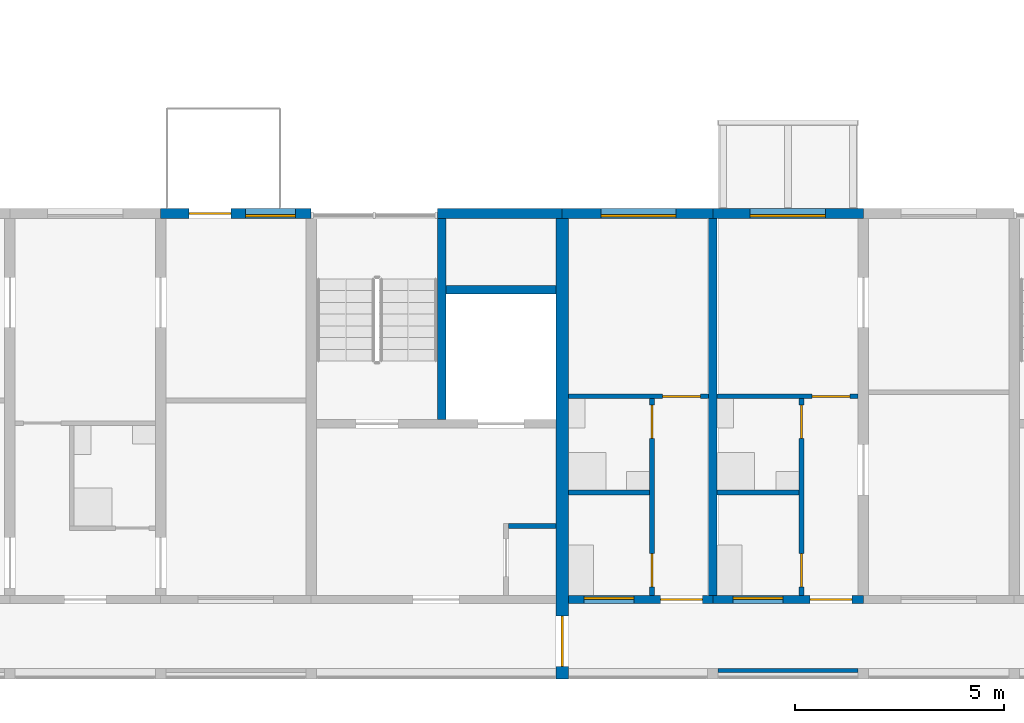
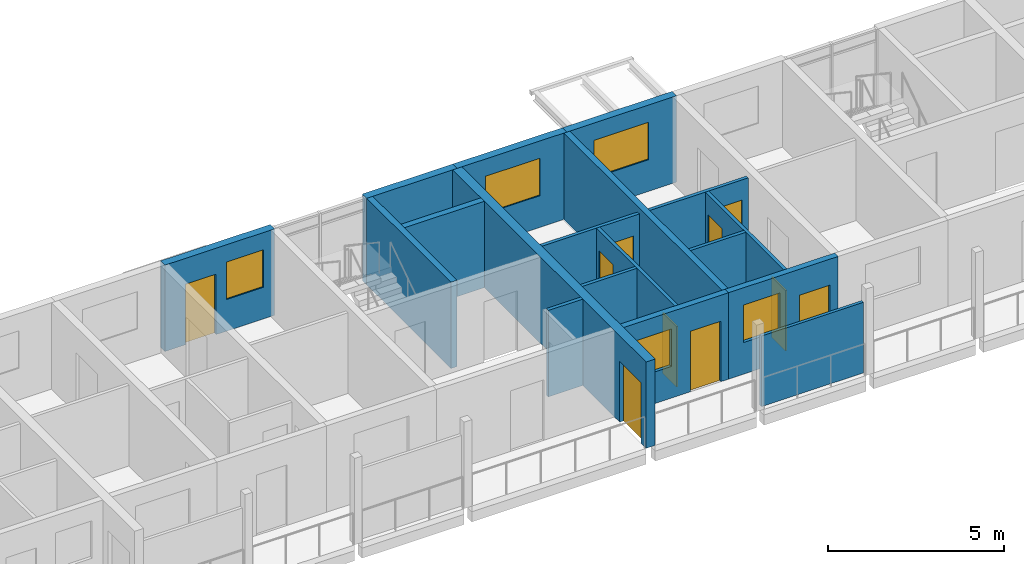
# One storey, part 49 of 98: 18 walls, 10 doors, 5 windows, 15 openings.
"""IFC4 building model written with IfcOpenShell, lengths in metres."""

from ifc_helpers import new_model, si_unit, direction, frame, frame_2d, origin, place, context, subcontext, project, spatial, rectangle, extrude, material, layer, layer_set, type_object, element, fill, save


model = new_model("IFC4")

# Units and contexts
model_context = context("Model", 3, precision=1e-05, world=origin(), true_north=direction((0.0, 1.0)))
body_context = subcontext(model_context, "Body", "Model", "MODEL_VIEW")
ifc_project = project(units=[si_unit("LENGTHUNIT", "METRE"), si_unit("AREAUNIT", "SQUARE_METRE"), si_unit("VOLUMEUNIT", "CUBIC_METRE"), si_unit("PLANEANGLEUNIT", "RADIAN"), si_unit("MASSUNIT", "GRAM", prefix="KILO")], contexts=[model_context])

# Site, building, storey
site_placement = place(None, origin())
site = spatial("IfcSite", under=ifc_project, at=site_placement, CompositionType="ELEMENT")
building_placement = place(site_placement, origin())
building = spatial("IfcBuilding", under=site, at=building_placement, Name="Ridgestep Commons", CompositionType="ELEMENT")
storey_placement = place(building_placement, frame((0.0, 0.0, 12.0)))
storey = spatial("IfcBuildingStorey", under=building, at=storey_placement, Name="L04", CompositionType="ELEMENT", Elevation=12.0)

# Walls
ifc_material_1 = material(Name="Concrete C30/37", Category="concrete")
ifc_layer_1 = layer(ifc_material_1, 0.1201171875)
ifc_layer_set_1 = layer_set([ifc_layer_1], Name="Core wall 120")
wall_type_1 = type_object("IfcWallType", Name="Core wall 120", PredefinedType="SHEAR", material=ifc_layer_set_1)
wall_1_placement = place(storey_placement, frame((195.919921875, 15.409912109375, 0.0), z_axis=(0.0, 0.0, 1.0), x_axis=(1.0, 0.0, 0.0)))
element("IfcWall", 1, at=wall_1_placement, inside=storey, type_object=wall_type_1, Name="Core riser n wall D3C L04", PredefinedType="SHEAR", context=body_context, shape_type="SweptSolid", body=[
    extrude(rectangle(XDim=1.130126953125, YDim=0.1201171875, at=frame_2d((0.56494140625, 0.0))), origin(), (0.0, 0.0, 1.0), 3.0),
])
ifc_material_2 = material(Name="Concrete C30/37", Category="concrete")
ifc_layer_2 = layer(ifc_material_2, 0.199951171875)
ifc_layer_set_2 = layer_set([ifc_layer_2], Name="Core wall 200")
wall_type_2 = type_object("IfcWallType", Name="Core wall 200", PredefinedType="SHEAR", material=ifc_layer_set_2)
wall_2_placement = place(storey_placement, frame((194.324951171875, 17.949951171875, 0.0), z_axis=(0.0, 0.0, 1.0), x_axis=(0.0, 1.0, 0.0)))
element("IfcWall", 2, at=wall_2_placement, inside=storey, type_object=wall_type_2, Name="Core stair wall D3C L04", PredefinedType="SHEAR", context=body_context, shape_type="SweptSolid", body=[
    extrude(rectangle(XDim=4.800048828125, YDim=0.199951171875, at=frame_2d((2.39990234375, 0.0))), origin(), (0.0, 0.0, 1.0), 3.0),
])
wall_3_placement = place(storey_placement, frame((194.425048828125, 21.050048828125, 0.0), z_axis=(0.0, 0.0, 1.0), x_axis=(1.0, 0.0, 0.0)))
element("IfcWall", 3, at=wall_3_placement, inside=storey, type_object=wall_type_2, Name="Core duct wall D3C L04", PredefinedType="SHEAR", context=body_context, shape_type="SweptSolid", body=[
    extrude(rectangle(XDim=2.625, YDim=0.199951171875, at=frame_2d((1.3125, 0.0))), origin(), (0.0, 0.0, 1.0), 3.0),
])
ifc_material_3 = material(Name="Precast concrete C40/50", Category="concrete")
ifc_layer_3 = layer(ifc_material_3, 0.199951171875)
ifc_layer_set_3 = layer_set([ifc_layer_3], Name="Cross wall 200")
wall_type_3 = type_object("IfcWallType", Name="Cross wall 200", PredefinedType="SHEAR", material=ifc_layer_set_3)
wall_4_placement = place(storey_placement, frame((200.800048828125, 13.75, 0.0), z_axis=(0.0, 0.0, 1.0), x_axis=(0.0, 1.0, 0.0)))
element("IfcWall", 4, at=wall_4_placement, inside=storey, type_object=wall_type_3, Name="Cross wall D-04-2008", PredefinedType="SHEAR", context=body_context, shape_type="SweptSolid", body=[
    extrude(rectangle(XDim=9.0, YDim=0.199951171875, at=frame_2d((4.5, 0.0))), origin(), (0.0, 0.0, 1.0), 3.0),
])

# Wall, opening, door
ifc_material_4 = material(Name="Precast concrete C40/50", Category="concrete")
ifc_layer_4 = layer(ifc_material_4, 0.300048828125)
ifc_layer_set_4 = layer_set([ifc_layer_4], Name="Division wall 300")
wall_type_4 = type_object("IfcWallType", Name="Division wall 300", PredefinedType="SHEAR", material=ifc_layer_set_4)
wall_5_placement = place(storey_placement, frame((197.199951171875, 11.75, 0.0), z_axis=(0.0, 0.0, 1.0), x_axis=(0.0, 1.0, 0.0)))
wall_5 = element("IfcWall", 5, at=wall_5_placement, inside=storey, type_object=wall_type_4, Name="Cross wall D-04-1972", PredefinedType="SHEAR", context=body_context, shape_type="SweptSolid", body=[
    extrude(rectangle(XDim=11.0, YDim=0.300048828125, at=frame_2d((5.5, 0.0))), origin(), (0.0, 0.0, 1.0), 3.0),
])
opening_1_placement = place(wall_5_placement, frame((0.300048828125, 0.0, 0.0)))
opening_1 = element("IfcOpeningElement", 6, at=opening_1_placement, cuts=wall_5, Name="Opening D/04/G1972", PredefinedType="OPENING", context=body_context, shape_type="SweptSolid", body=[
    extrude(rectangle(XDim=1.199951171875, YDim=2.10009765625, at=frame_2d((0.60009765625, 1.050048828125))), frame((0.0, 0.159912109375, 0.0), z_axis=(0.0, -1.0, 0.0), x_axis=(1.0, 0.0, 0.0)), (0.0, 0.0, 1.0), 0.320068359375),
])
ifc_material_5 = material(Name="Steel fire door", Category="steel")
door_type_1 = type_object("IfcDoorType", Name="Division fire door 1200 x 2100 EI 240", OperationType="DOUBLE_DOOR_SINGLE_SWING", PredefinedType="DOOR", material=ifc_material_5)
door_1_placement = place(opening_1_placement, origin())
door_1 = element("IfcDoor", 7, at=door_1_placement, inside=storey, type_object=door_type_1, Name="Division fire door D/04/G1972", OperationType="DOUBLE_DOOR_SINGLE_SWING", OverallHeight=2.10009765625, OverallWidth=1.199951171875, PredefinedType="DOOR", context=body_context, shape_type="SweptSolid", body=[
    extrude(rectangle(XDim=1.199951171875, YDim=2.10009765625, at=frame_2d((0.60009765625, 1.050048828125))), frame((0.0, 0.02490234375, 0.0), z_axis=(0.0, -1.0, 0.0), x_axis=(1.0, 0.0, 0.0)), (0.0, 0.0, 1.0), 0.050048828125),
])
fill(opening_1, door_1)

# Wall, openings, door, window
ifc_material_6 = material(Name="Precast concrete C40/50", Category="concrete")
ifc_layer_5 = layer(ifc_material_6, 0.25)
ifc_layer_set_5 = layer_set([ifc_layer_5], Name="North facade panel 250")
wall_type_5 = type_object("IfcWallType", Name="North facade panel 250", PredefinedType="SOLIDWALL", material=ifc_layer_set_5)
wall_6_placement = place(storey_placement, frame((187.60009765625, 22.875, 0.0), z_axis=(0.0, 0.0, 1.0), x_axis=(1.0, 0.0, 0.0)))
wall_6 = element("IfcWall", 8, at=wall_6_placement, inside=storey, type_object=wall_type_5, Name="North panel D3T3 L04", PredefinedType="SOLIDWALL", context=body_context, shape_type="SweptSolid", body=[
    extrude(rectangle(XDim=3.599853515625, YDim=0.25, at=frame_2d((1.7998046875, 0.0))), origin(), (0.0, 0.0, 1.0), 3.0),
])
opening_2_placement = place(wall_6_placement, frame((2.028076171875, 0.0, 1.10009765625)))
opening_2 = element("IfcOpeningElement", 9, at=opening_2_placement, cuts=wall_6, Name="Opening W08", PredefinedType="OPENING", context=body_context, shape_type="SweptSolid", body=[
    extrude(rectangle(XDim=1.199951171875, YDim=1.300048828125, at=frame_2d((0.60009765625, 0.64990234375))), frame((0.0, 0.135009765625, 0.0), z_axis=(0.0, -1.0, 0.0), x_axis=(1.0, 0.0, 0.0)), (0.0, 0.0, 1.0), 0.27001953125),
])
opening_3_placement = place(wall_6_placement, frame((0.680908203125, 0.0, 0.0)))
opening_3 = element("IfcOpeningElement", 10, at=opening_3_placement, cuts=wall_6, Name="Opening D3-04a/8", PredefinedType="OPENING", context=body_context, shape_type="SweptSolid", body=[
    extrude(rectangle(XDim=1.0, YDim=2.10009765625, at=frame_2d((0.5, 1.050048828125))), frame((0.0, 0.135009765625, 0.0), z_axis=(0.0, -1.0, 0.0), x_axis=(1.0, 0.0, 0.0)), (0.0, 0.0, 1.0), 0.27001953125),
])
ifc_material_7 = material(Name="Aluminium and glass", Category="aluminium")
door_type_2 = type_object("IfcDoorType", Name="Balcony door 1000 x 2100", OperationType="NOTDEFINED", PredefinedType="DOOR", material=ifc_material_7)
door_2_placement = place(opening_3_placement, origin())
door_2 = element("IfcDoor", 11, at=door_2_placement, inside=storey, type_object=door_type_2, Name="Balcony door D3-04a/8", OperationType="SINGLE_SWING_RIGHT", OverallHeight=2.10009765625, OverallWidth=1.0, PredefinedType="DOOR", context=body_context, shape_type="SweptSolid", body=[
    extrude(rectangle(XDim=1.0, YDim=2.10009765625, at=frame_2d((0.5, 1.050048828125))), frame((0.0, 0.02490234375, 0.0), z_axis=(0.0, -1.0, 0.0), x_axis=(1.0, 0.0, 0.0)), (0.0, 0.0, 1.0), 0.050048828125),
])
fill(opening_3, door_2)
ifc_material_8 = material(Name="Aluminium 6063-T6 and glass", Category="aluminium")
window_type_1 = type_object("IfcWindowType", Name="Flat window 1200 x 1300", PartitioningType="SINGLE_PANEL", PredefinedType="WINDOW", material=ifc_material_8)
window_1_placement = place(opening_2_placement, origin())
window_1 = element("IfcWindow", 12, at=window_1_placement, inside=storey, type_object=window_type_1, Name="Window D3-04a 4", OverallHeight=1.300048828125, OverallWidth=1.199951171875, PartitioningType="SINGLE_PANEL", PredefinedType="WINDOW", context=body_context, shape_type="SweptSolid", body=[
    extrude(rectangle(XDim=1.199951171875, YDim=1.300048828125, at=frame_2d((0.60009765625, 0.64990234375))), frame((0.0, -0.02490234375, 0.0), z_axis=(0.0, -1.0, 0.0), x_axis=(1.0, 0.0, 0.0)), (0.0, 0.0, 1.0), 0.06005859375),
])
fill(opening_2, window_1)

# Wall
wall_7_placement = place(storey_placement, frame((194.22509765625, 22.875, 0.0), z_axis=(0.0, 0.0, 1.0), x_axis=(1.0, 0.0, 0.0)))
element("IfcWall", 13, at=wall_7_placement, inside=storey, type_object=wall_type_5, Name="North panel D3C L04", PredefinedType="SOLIDWALL", context=body_context, shape_type="SweptSolid", body=[
    extrude(rectangle(XDim=2.974853515625, YDim=0.25, at=frame_2d((1.4873046875, 0.0))), origin(), (0.0, 0.0, 1.0), 3.0),
])

# Wall, opening, window
wall_8_placement = place(storey_placement, frame((197.199951171875, 22.875, 0.0), z_axis=(0.0, 0.0, 1.0), x_axis=(1.0, 0.0, 0.0)))
wall_8 = element("IfcWall", 14, at=wall_8_placement, inside=storey, type_object=wall_type_5, Name="North panel D4T1 L04", PredefinedType="SOLIDWALL", context=body_context, shape_type="SweptSolid", body=[
    extrude(rectangle(XDim=3.60009765625, YDim=0.25, at=frame_2d((1.800048828125, 0.0))), origin(), (0.0, 0.0, 1.0), 3.0),
])
opening_4_placement = place(wall_8_placement, frame((0.925048828125, 0.0, 1.10009765625)))
opening_4 = element("IfcOpeningElement", 15, at=opening_4_placement, cuts=wall_8, Name="Opening W18", PredefinedType="OPENING", context=body_context, shape_type="SweptSolid", body=[
    extrude(rectangle(XDim=1.800048828125, YDim=1.300048828125, at=frame_2d((0.89990234375, 0.64990234375))), frame((0.0, 0.135009765625, 0.0), z_axis=(0.0, -1.0, 0.0), x_axis=(1.0, 0.0, 0.0)), (0.0, 0.0, 1.0), 0.27001953125),
])
ifc_material_9 = material(Name="Aluminium 6063-T6 and glass", Category="aluminium")
window_type_2 = type_object("IfcWindowType", Name="Flat window 1800 x 1300", PartitioningType="DOUBLE_PANEL_VERTICAL", PredefinedType="WINDOW", material=ifc_material_9)
window_2_placement = place(opening_4_placement, origin())
window_2 = element("IfcWindow", 16, at=window_2_placement, inside=storey, type_object=window_type_2, Name="Window D4-04a 2", OverallHeight=1.300048828125, OverallWidth=1.800048828125, PartitioningType="SINGLE_PANEL", PredefinedType="WINDOW", context=body_context, shape_type="SweptSolid", body=[
    extrude(rectangle(XDim=1.800048828125, YDim=1.300048828125, at=frame_2d((0.89990234375, 0.64990234375))), frame((0.0, -0.02490234375, 0.0), z_axis=(0.0, -1.0, 0.0), x_axis=(1.0, 0.0, 0.0)), (0.0, 0.0, 1.0), 0.06005859375),
])
fill(opening_4, window_2)

wall_9_placement = place(storey_placement, frame((200.800048828125, 22.875, 0.0), z_axis=(0.0, 0.0, 1.0), x_axis=(1.0, 0.0, 0.0)))
wall_9 = element("IfcWall", 17, at=wall_9_placement, inside=storey, type_object=wall_type_5, Name="North panel D4T2 L04", PredefinedType="SOLIDWALL", context=body_context, shape_type="SweptSolid", body=[
    extrude(rectangle(XDim=3.599853515625, YDim=0.25, at=frame_2d((1.7998046875, 0.0))), origin(), (0.0, 0.0, 1.0), 3.0),
])
opening_5_placement = place(wall_9_placement, frame((0.887451171875, 0.0, 1.10009765625)))
opening_5 = element("IfcOpeningElement", 18, at=opening_5_placement, cuts=wall_9, Name="Opening W18", PredefinedType="OPENING", context=body_context, shape_type="SweptSolid", body=[
    extrude(rectangle(XDim=1.800048828125, YDim=1.300048828125, at=frame_2d((0.89990234375, 0.64990234375))), frame((0.0, 0.135009765625, 0.0), z_axis=(0.0, -1.0, 0.0), x_axis=(1.0, 0.0, 0.0)), (0.0, 0.0, 1.0), 0.27001953125),
])
window_3_placement = place(opening_5_placement, origin())
window_3 = element("IfcWindow", 19, at=window_3_placement, inside=storey, type_object=window_type_2, Name="Window D4-04b 4", OverallHeight=1.300048828125, OverallWidth=1.800048828125, PartitioningType="SINGLE_PANEL", PredefinedType="WINDOW", context=body_context, shape_type="SweptSolid", body=[
    extrude(rectangle(XDim=1.800048828125, YDim=1.300048828125, at=frame_2d((0.89990234375, 0.64990234375))), frame((0.0, -0.02490234375, 0.0), z_axis=(0.0, -1.0, 0.0), x_axis=(1.0, 0.0, 0.0)), (0.0, 0.0, 1.0), 0.06005859375),
])
fill(opening_5, window_3)

# Wall
ifc_material_10 = material(Name="Common brick 110 mm", Category="masonry")
ifc_layer_6 = layer(ifc_material_10, 0.110107421875)
ifc_layer_set_6 = layer_set([ifc_layer_6], Name="Partition 110")
wall_type_6 = type_object("IfcWallType", Name="Partition 110", PredefinedType="PARTITIONING", material=ifc_layer_set_6)
wall_10_placement = place(storey_placement, frame((197.35009765625, 16.205078125, 0.0), z_axis=(0.0, 0.0, 1.0), x_axis=(1.0, 0.0, 0.0)))
element("IfcWall", 20, at=wall_10_placement, inside=storey, type_object=wall_type_6, Name="Partition D4-04a", PredefinedType="PARTITIONING", context=body_context, shape_type="SweptSolid", body=[
    extrude(rectangle(XDim=1.93994140625, YDim=0.110107421875, at=frame_2d((0.969970703125, 0.0))), origin(), (0.0, 0.0, 1.0), 2.800048828125),
])

# Wall, openings, doors
wall_11_placement = place(storey_placement, frame((199.344970703125, 13.75, 0.0), z_axis=(0.0, 0.0, 1.0), x_axis=(0.0, 1.0, 0.0)))
wall_11 = element("IfcWall", 21, at=wall_11_placement, inside=storey, type_object=wall_type_6, Name="Partition D4-04a", PredefinedType="PARTITIONING", context=body_context, shape_type="SweptSolid", body=[
    extrude(rectangle(XDim=4.699951171875, YDim=0.110107421875, at=frame_2d((2.35009765625, 0.0))), origin(), (0.0, 0.0, 1.0), 2.800048828125),
])
opening_6_placement = place(wall_11_placement, frame((0.199951171875, 0.0, 0.0)))
opening_6 = element("IfcOpeningElement", 22, at=opening_6_placement, cuts=wall_11, Name="Opening D4-04a/2", PredefinedType="OPENING", context=body_context, shape_type="SweptSolid", body=[
    extrude(rectangle(XDim=0.800048828125, YDim=2.10009765625, at=frame_2d((0.39990234375, 1.050048828125))), frame((0.0, 0.06494140625, 0.0), z_axis=(0.0, -1.0, 0.0), x_axis=(1.0, 0.0, 0.0)), (0.0, 0.0, 1.0), 0.130126953125),
])
opening_7_placement = place(wall_11_placement, frame((3.75, 0.0, 0.0)))
opening_7 = element("IfcOpeningElement", 23, at=opening_7_placement, cuts=wall_11, Name="Opening D4-04a/3", PredefinedType="OPENING", context=body_context, shape_type="SweptSolid", body=[
    extrude(rectangle(XDim=0.800048828125, YDim=2.10009765625, at=frame_2d((0.39990234375, 1.050048828125))), frame((0.0, 0.06494140625, 0.0), z_axis=(0.0, -1.0, 0.0), x_axis=(1.0, 0.0, 0.0)), (0.0, 0.0, 1.0), 0.130126953125),
])
ifc_material_11 = material(Name="Timber door leaf", Category="wood")
door_type_3 = type_object("IfcDoorType", Name="Internal door 800 x 2100", OperationType="NOTDEFINED", PredefinedType="DOOR", material=ifc_material_11)
door_3_placement = place(opening_6_placement, origin())
door_3 = element("IfcDoor", 24, at=door_3_placement, inside=storey, type_object=door_type_3, Name="Internal door D4-04a/2", OperationType="SINGLE_SWING_LEFT", OverallHeight=2.10009765625, OverallWidth=0.800048828125, PredefinedType="DOOR", context=body_context, shape_type="SweptSolid", body=[
    extrude(rectangle(XDim=0.800048828125, YDim=2.10009765625, at=frame_2d((0.39990234375, 1.050048828125))), frame((0.0, 0.02490234375, 0.0), z_axis=(0.0, -1.0, 0.0), x_axis=(1.0, 0.0, 0.0)), (0.0, 0.0, 1.0), 0.050048828125),
])
fill(opening_6, door_3)
door_4_placement = place(opening_7_placement, origin())
door_4 = element("IfcDoor", 25, at=door_4_placement, inside=storey, type_object=door_type_3, Name="Internal door D4-04a/3", OperationType="SINGLE_SWING_RIGHT", OverallHeight=2.10009765625, OverallWidth=0.800048828125, PredefinedType="DOOR", context=body_context, shape_type="SweptSolid", body=[
    extrude(rectangle(XDim=0.800048828125, YDim=2.10009765625, at=frame_2d((0.39990234375, 1.050048828125))), frame((0.0, 0.02490234375, 0.0), z_axis=(0.0, -1.0, 0.0), x_axis=(1.0, 0.0, 0.0)), (0.0, 0.0, 1.0), 0.050048828125),
])
fill(opening_7, door_4)

# Wall, opening, door
wall_12_placement = place(storey_placement, frame((197.35009765625, 18.5048828125, 0.0), z_axis=(0.0, 0.0, 1.0), x_axis=(1.0, 0.0, 0.0)))
wall_12 = element("IfcWall", 26, at=wall_12_placement, inside=storey, type_object=wall_type_6, Name="Partition D4-04a", PredefinedType="PARTITIONING", context=body_context, shape_type="SweptSolid", body=[
    extrude(rectangle(XDim=3.349853515625, YDim=0.110107421875, at=frame_2d((1.6748046875, 0.0))), origin(), (0.0, 0.0, 1.0), 2.800048828125),
])
opening_8_placement = place(wall_12_placement, frame((2.25, 0.0, 0.0)))
opening_8 = element("IfcOpeningElement", 27, at=opening_8_placement, cuts=wall_12, Name="Opening D4-04a/4", PredefinedType="OPENING", context=body_context, shape_type="SweptSolid", body=[
    extrude(rectangle(XDim=0.89990234375, YDim=2.10009765625, at=frame_2d((0.449951171875, 1.050048828125))), frame((0.0, 0.06494140625, 0.0), z_axis=(0.0, -1.0, 0.0), x_axis=(1.0, 0.0, 0.0)), (0.0, 0.0, 1.0), 0.130126953125),
])
ifc_material_12 = material(Name="Timber door leaf", Category="wood")
door_type_4 = type_object("IfcDoorType", Name="Internal door 900 x 2100", OperationType="NOTDEFINED", PredefinedType="DOOR", material=ifc_material_12)
door_5_placement = place(opening_8_placement, origin())
door_5 = element("IfcDoor", 28, at=door_5_placement, inside=storey, type_object=door_type_4, Name="Internal door D4-04a/4", OperationType="SINGLE_SWING_LEFT", OverallHeight=2.10009765625, OverallWidth=0.89990234375, PredefinedType="DOOR", context=body_context, shape_type="SweptSolid", body=[
    extrude(rectangle(XDim=0.89990234375, YDim=2.10009765625, at=frame_2d((0.449951171875, 1.050048828125))), frame((0.0, 0.02490234375, 0.0), z_axis=(0.0, -1.0, 0.0), x_axis=(1.0, 0.0, 0.0)), (0.0, 0.0, 1.0), 0.050048828125),
])
fill(opening_8, door_5)

# Wall
wall_13_placement = place(storey_placement, frame((200.89990234375, 16.205078125, 0.0), z_axis=(0.0, 0.0, 1.0), x_axis=(1.0, 0.0, 0.0)))
element("IfcWall", 29, at=wall_13_placement, inside=storey, type_object=wall_type_6, Name="Partition D4-04b", PredefinedType="PARTITIONING", context=body_context, shape_type="SweptSolid", body=[
    extrude(rectangle(XDim=1.965087890625, YDim=0.110107421875, at=frame_2d((0.982421875, 0.0))), origin(), (0.0, 0.0, 1.0), 2.800048828125),
])

# Wall, openings, doors
wall_14_placement = place(storey_placement, frame((202.919921875, 13.75, 0.0), z_axis=(0.0, 0.0, 1.0), x_axis=(0.0, 1.0, 0.0)))
wall_14 = element("IfcWall", 30, at=wall_14_placement, inside=storey, type_object=wall_type_6, Name="Partition D4-04b", PredefinedType="PARTITIONING", context=body_context, shape_type="SweptSolid", body=[
    extrude(rectangle(XDim=4.699951171875, YDim=0.110107421875, at=frame_2d((2.35009765625, 0.0))), origin(), (0.0, 0.0, 1.0), 2.800048828125),
])
opening_9_placement = place(wall_14_placement, frame((0.199951171875, 0.0, 0.0)))
opening_9 = element("IfcOpeningElement", 31, at=opening_9_placement, cuts=wall_14, Name="Opening D4-04b/2", PredefinedType="OPENING", context=body_context, shape_type="SweptSolid", body=[
    extrude(rectangle(XDim=0.800048828125, YDim=2.10009765625, at=frame_2d((0.39990234375, 1.050048828125))), frame((0.0, 0.06494140625, 0.0), z_axis=(0.0, -1.0, 0.0), x_axis=(1.0, 0.0, 0.0)), (0.0, 0.0, 1.0), 0.130126953125),
])
opening_10_placement = place(wall_14_placement, frame((3.75, 0.0, 0.0)))
opening_10 = element("IfcOpeningElement", 32, at=opening_10_placement, cuts=wall_14, Name="Opening D4-04b/3", PredefinedType="OPENING", context=body_context, shape_type="SweptSolid", body=[
    extrude(rectangle(XDim=0.800048828125, YDim=2.10009765625, at=frame_2d((0.39990234375, 1.050048828125))), frame((0.0, 0.06494140625, 0.0), z_axis=(0.0, -1.0, 0.0), x_axis=(1.0, 0.0, 0.0)), (0.0, 0.0, 1.0), 0.130126953125),
])
door_6_placement = place(opening_9_placement, origin())
door_6 = element("IfcDoor", 33, at=door_6_placement, inside=storey, type_object=door_type_3, Name="Internal door D4-04b/2", OperationType="SINGLE_SWING_LEFT", OverallHeight=2.10009765625, OverallWidth=0.800048828125, PredefinedType="DOOR", context=body_context, shape_type="SweptSolid", body=[
    extrude(rectangle(XDim=0.800048828125, YDim=2.10009765625, at=frame_2d((0.39990234375, 1.050048828125))), frame((0.0, 0.02490234375, 0.0), z_axis=(0.0, -1.0, 0.0), x_axis=(1.0, 0.0, 0.0)), (0.0, 0.0, 1.0), 0.050048828125),
])
fill(opening_9, door_6)
door_7_placement = place(opening_10_placement, origin())
door_7 = element("IfcDoor", 34, at=door_7_placement, inside=storey, type_object=door_type_3, Name="Internal door D4-04b/3", OperationType="SINGLE_SWING_RIGHT", OverallHeight=2.10009765625, OverallWidth=0.800048828125, PredefinedType="DOOR", context=body_context, shape_type="SweptSolid", body=[
    extrude(rectangle(XDim=0.800048828125, YDim=2.10009765625, at=frame_2d((0.39990234375, 1.050048828125))), frame((0.0, 0.02490234375, 0.0), z_axis=(0.0, -1.0, 0.0), x_axis=(1.0, 0.0, 0.0)), (0.0, 0.0, 1.0), 0.050048828125),
])
fill(opening_10, door_7)

# Wall, opening, door
wall_15_placement = place(storey_placement, frame((200.89990234375, 18.5048828125, 0.0), z_axis=(0.0, 0.0, 1.0), x_axis=(1.0, 0.0, 0.0)))
wall_15 = element("IfcWall", 35, at=wall_15_placement, inside=storey, type_object=wall_type_6, Name="Partition D4-04b", PredefinedType="PARTITIONING", context=body_context, shape_type="SweptSolid", body=[
    extrude(rectangle(XDim=3.375, YDim=0.110107421875, at=frame_2d((1.6875, 0.0))), origin(), (0.0, 0.0, 1.0), 2.800048828125),
])
opening_11_placement = place(wall_15_placement, frame((2.27490234375, 0.0, 0.0)))
opening_11 = element("IfcOpeningElement", 36, at=opening_11_placement, cuts=wall_15, Name="Opening D4-04b/4", PredefinedType="OPENING", context=body_context, shape_type="SweptSolid", body=[
    extrude(rectangle(XDim=0.89990234375, YDim=2.10009765625, at=frame_2d((0.449951171875, 1.050048828125))), frame((0.0, 0.06494140625, 0.0), z_axis=(0.0, -1.0, 0.0), x_axis=(1.0, 0.0, 0.0)), (0.0, 0.0, 1.0), 0.130126953125),
])
door_8_placement = place(opening_11_placement, origin())
door_8 = element("IfcDoor", 37, at=door_8_placement, inside=storey, type_object=door_type_4, Name="Internal door D4-04b/4", OperationType="SINGLE_SWING_LEFT", OverallHeight=2.10009765625, OverallWidth=0.89990234375, PredefinedType="DOOR", context=body_context, shape_type="SweptSolid", body=[
    extrude(rectangle(XDim=0.89990234375, YDim=2.10009765625, at=frame_2d((0.449951171875, 1.050048828125))), frame((0.0, 0.02490234375, 0.0), z_axis=(0.0, -1.0, 0.0), x_axis=(1.0, 0.0, 0.0)), (0.0, 0.0, 1.0), 0.050048828125),
])
fill(opening_11, door_8)

# Wall
ifc_material_13 = material(Name="Precast concrete C30/37", Category="concrete")
ifc_layer_7 = layer(ifc_material_13, 0.10009765625)
ifc_layer_set_7 = layer_set([ifc_layer_7], Name="Perforated gallery screen 3350 x 2450 x 100")
wall_type_7 = type_object("IfcWallType", Name="Perforated gallery screen 3350 x 2450 x 100", PredefinedType="SOLIDWALL", material=ifc_layer_set_7)
wall_16_placement = place(storey_placement, frame((200.925048828125, 11.949951171875, 0.0), z_axis=(0.0, 0.0, 1.0), x_axis=(1.0, 0.0, 0.0)))
element("IfcWall", 38, at=wall_16_placement, inside=storey, type_object=wall_type_7, Name="Gallery screen D4T2 04", PredefinedType="SOLIDWALL", context=body_context, shape_type="SweptSolid", body=[
    extrude(rectangle(XDim=3.349853515625, YDim=0.10009765625, at=frame_2d((1.6748046875, 0.0))), origin(), (0.0, 0.0, 1.0), 2.449951171875),
])

# Wall, openings, door, window
ifc_material_14 = material(Name="Precast concrete C40/50", Category="concrete")
ifc_layer_8 = layer(ifc_material_14, 0.199951171875)
ifc_layer_set_8 = layer_set([ifc_layer_8], Name="South facade panel 200")
wall_type_8 = type_object("IfcWallType", Name="South facade panel 200", PredefinedType="SOLIDWALL", material=ifc_layer_set_8)
wall_17_placement = place(storey_placement, frame((197.35009765625, 13.64990234375, 0.0), z_axis=(0.0, 0.0, 1.0), x_axis=(1.0, 0.0, 0.0)))
wall_17 = element("IfcWall", 39, at=wall_17_placement, inside=storey, type_object=wall_type_8, Name="South panel D4T1 L04", PredefinedType="SOLIDWALL", context=body_context, shape_type="SweptSolid", body=[
    extrude(rectangle(XDim=3.449951171875, YDim=0.199951171875, at=frame_2d((1.72509765625, 0.0))), origin(), (0.0, 0.0, 1.0), 3.0),
])
opening_12_placement = place(wall_17_placement, frame((0.3701171875, 0.0, 1.10009765625)))
opening_12 = element("IfcOpeningElement", 40, at=opening_12_placement, cuts=wall_17, Name="Opening W08", PredefinedType="OPENING", context=body_context, shape_type="SweptSolid", body=[
    extrude(rectangle(XDim=1.199951171875, YDim=1.300048828125, at=frame_2d((0.60009765625, 0.64990234375))), frame((0.0, 0.10986328125, 0.0), z_axis=(0.0, -1.0, 0.0), x_axis=(1.0, 0.0, 0.0)), (0.0, 0.0, 1.0), 0.219970703125),
])
opening_13_placement = place(wall_17_placement, frame((2.199951171875, 0.0, 0.0)))
opening_13 = element("IfcOpeningElement", 41, at=opening_13_placement, cuts=wall_17, Name="Opening D4-04a/1", PredefinedType="OPENING", context=body_context, shape_type="SweptSolid", body=[
    extrude(rectangle(XDim=1.0, YDim=2.10009765625, at=frame_2d((0.5, 1.050048828125))), frame((0.0, 0.10986328125, 0.0), z_axis=(0.0, -1.0, 0.0), x_axis=(1.0, 0.0, 0.0)), (0.0, 0.0, 1.0), 0.219970703125),
])
ifc_material_15 = material(Name="Timber door leaf", Category="wood")
door_type_5 = type_object("IfcDoorType", Name="Flat entrance door 1000 x 2100 FD30S", OperationType="NOTDEFINED", PredefinedType="DOOR", material=ifc_material_15)
door_9_placement = place(opening_13_placement, origin())
door_9 = element("IfcDoor", 42, at=door_9_placement, inside=storey, type_object=door_type_5, Name="Flat entrance door D4-04a/1", OperationType="SINGLE_SWING_RIGHT", OverallHeight=2.10009765625, OverallWidth=1.0, PredefinedType="DOOR", context=body_context, shape_type="SweptSolid", body=[
    extrude(rectangle(XDim=1.0, YDim=2.10009765625, at=frame_2d((0.5, 1.050048828125))), frame((0.0, 0.02490234375, 0.0), z_axis=(0.0, -1.0, 0.0), x_axis=(1.0, 0.0, 0.0)), (0.0, 0.0, 1.0), 0.050048828125),
])
fill(opening_13, door_9)
window_4_placement = place(opening_12_placement, origin())
window_4 = element("IfcWindow", 43, at=window_4_placement, inside=storey, type_object=window_type_1, Name="Window D4-04a 1", OverallHeight=1.300048828125, OverallWidth=1.199951171875, PartitioningType="SINGLE_PANEL", PredefinedType="WINDOW", context=body_context, shape_type="SweptSolid", body=[
    extrude(rectangle(XDim=1.199951171875, YDim=1.300048828125, at=frame_2d((0.60009765625, 0.64990234375))), frame((0.0, 0.06005859375, 0.0), z_axis=(0.0, -1.0, 0.0), x_axis=(1.0, 0.0, 0.0)), (0.0, 0.0, 1.0), 0.06005859375),
])
fill(opening_12, window_4)

wall_18_placement = place(storey_placement, frame((200.800048828125, 13.64990234375, 0.0), z_axis=(0.0, 0.0, 1.0), x_axis=(1.0, 0.0, 0.0)))
wall_18 = element("IfcWall", 44, at=wall_18_placement, inside=storey, type_object=wall_type_8, Name="South panel D4T2 L04", PredefinedType="SOLIDWALL", context=body_context, shape_type="SweptSolid", body=[
    extrude(rectangle(XDim=3.599853515625, YDim=0.199951171875, at=frame_2d((1.7998046875, 0.0))), origin(), (0.0, 0.0, 1.0), 3.0),
])
opening_14_placement = place(wall_18_placement, frame((0.482421875, 0.0, 1.10009765625)))
opening_14 = element("IfcOpeningElement", 45, at=opening_14_placement, cuts=wall_18, Name="Opening W08", PredefinedType="OPENING", context=body_context, shape_type="SweptSolid", body=[
    extrude(rectangle(XDim=1.199951171875, YDim=1.300048828125, at=frame_2d((0.60009765625, 0.64990234375))), frame((0.0, 0.10986328125, 0.0), z_axis=(0.0, -1.0, 0.0), x_axis=(1.0, 0.0, 0.0)), (0.0, 0.0, 1.0), 0.219970703125),
])
opening_15_placement = place(wall_18_placement, frame((2.324951171875, 0.0, 0.0)))
opening_15 = element("IfcOpeningElement", 46, at=opening_15_placement, cuts=wall_18, Name="Opening D4-04b/1", PredefinedType="OPENING", context=body_context, shape_type="SweptSolid", body=[
    extrude(rectangle(XDim=1.0, YDim=2.10009765625, at=frame_2d((0.5, 1.050048828125))), frame((0.0, 0.10986328125, 0.0), z_axis=(0.0, -1.0, 0.0), x_axis=(1.0, 0.0, 0.0)), (0.0, 0.0, 1.0), 0.219970703125),
])
door_10_placement = place(opening_15_placement, origin())
door_10 = element("IfcDoor", 47, at=door_10_placement, inside=storey, type_object=door_type_5, Name="Flat entrance door D4-04b/1", OperationType="SINGLE_SWING_RIGHT", OverallHeight=2.10009765625, OverallWidth=1.0, PredefinedType="DOOR", context=body_context, shape_type="SweptSolid", body=[
    extrude(rectangle(XDim=1.0, YDim=2.10009765625, at=frame_2d((0.5, 1.050048828125))), frame((0.0, 0.02490234375, 0.0), z_axis=(0.0, -1.0, 0.0), x_axis=(1.0, 0.0, 0.0)), (0.0, 0.0, 1.0), 0.050048828125),
])
fill(opening_15, door_10)
window_5_placement = place(opening_14_placement, origin())
window_5 = element("IfcWindow", 48, at=window_5_placement, inside=storey, type_object=window_type_1, Name="Window D4-04b 3", OverallHeight=1.300048828125, OverallWidth=1.199951171875, PartitioningType="SINGLE_PANEL", PredefinedType="WINDOW", context=body_context, shape_type="SweptSolid", body=[
    extrude(rectangle(XDim=1.199951171875, YDim=1.300048828125, at=frame_2d((0.60009765625, 0.64990234375))), frame((0.0, 0.06005859375, 0.0), z_axis=(0.0, -1.0, 0.0), x_axis=(1.0, 0.0, 0.0)), (0.0, 0.0, 1.0), 0.06005859375),
])
fill(opening_14, window_5)

save(model, "model.ifc")
